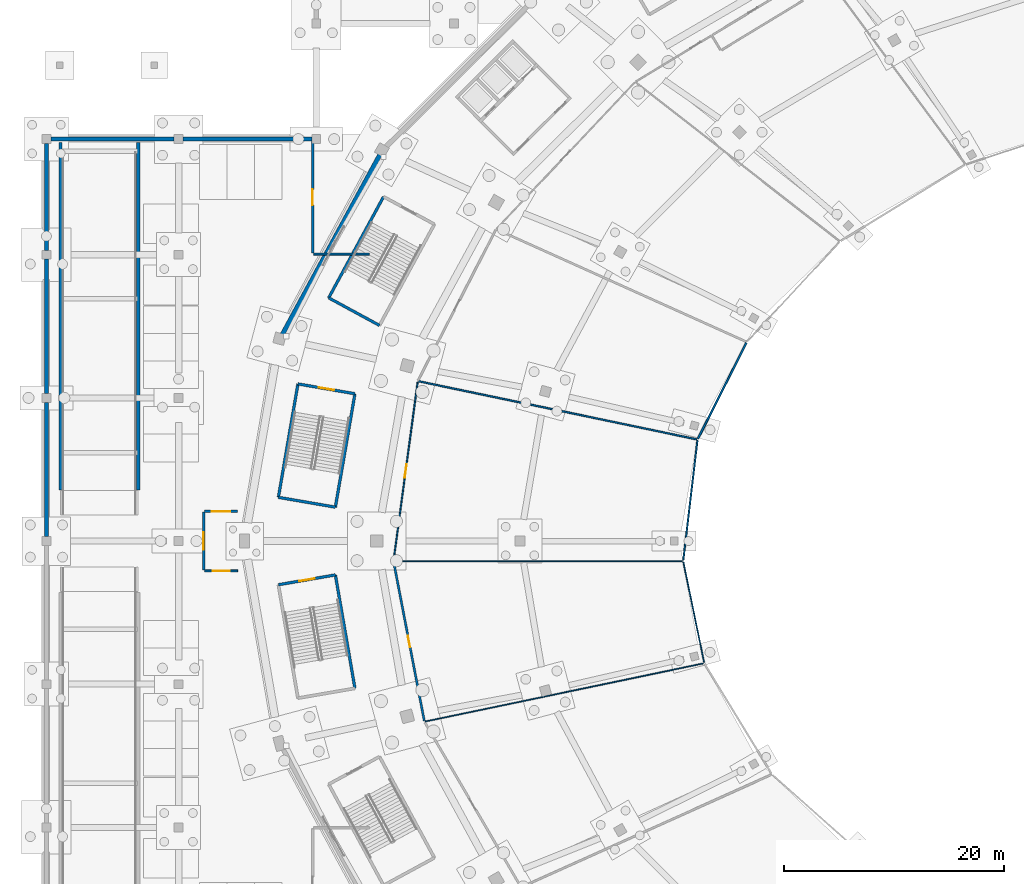
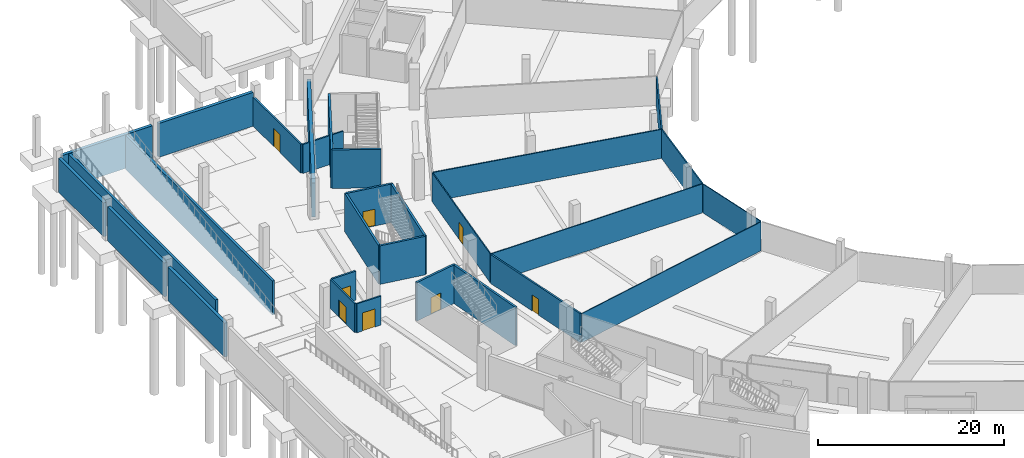
# One storey, part 36 of 74: 29 walls, 8 doors, 8 openings.
"""IFC4 building model written with IfcOpenShell, lengths in metres."""

from ifc_helpers import new_model, si_unit, direction, frame, frame_2d, origin, place, context, subcontext, project, spatial, rectangle, extrude, material, layer, layer_set, type_object, element, fill, save


model = new_model("IFC4")

# Units and contexts
model_context = context("Model", 3, precision=1e-05, world=origin(), true_north=direction((0.0, 1.0)))
body_context = subcontext(model_context, "Body", "Model", "MODEL_VIEW")
ifc_project = project(units=[si_unit("LENGTHUNIT", "METRE"), si_unit("AREAUNIT", "SQUARE_METRE"), si_unit("VOLUMEUNIT", "CUBIC_METRE"), si_unit("PLANEANGLEUNIT", "RADIAN"), si_unit("MASSUNIT", "GRAM", prefix="KILO")], contexts=[model_context])

# Site, building, storey
site_placement = place(None, origin())
site = spatial("IfcSite", under=ifc_project, at=site_placement, CompositionType="ELEMENT")
building_placement = place(site_placement, origin())
building = spatial("IfcBuilding", under=site, at=building_placement, Name="Zlatoyarsky Gate Stadium", CompositionType="ELEMENT")
storey_placement = place(building_placement, frame((0.0, 0.0, -5.39990234375)))
storey = spatial("IfcBuildingStorey", under=building, at=storey_placement, Name="B1", CompositionType="ELEMENT", Elevation=-5.39990234375)

# Wall
ifc_material_1 = material(Name="Moisture-resistant masonry partition", Category="masonry")
ifc_layer_1 = layer(ifc_material_1, 0.139892578125)
ifc_layer_set_1 = layer_set([ifc_layer_1], Name="Moisture-resistant masonry partition")
wall_type_1 = type_object("IfcWallType", Name="ATHLETE CHANGING BLOCK PARTITION 140", PredefinedType="PARTITIONING", material=ifc_layer_set_1)
wall_1_placement = place(storey_placement, frame((59.040283203125, 89.237548828125, 0.0), z_axis=(0.0, 0.0, 1.0), x_axis=(-0.978875817895, 0.204455699701, 0.0)))
element("IfcWall", 1, at=wall_1_placement, inside=storey, type_object=wall_type_1, Name="B1 interior partition PRT-B1-IRD-11", PredefinedType="PARTITIONING", context=body_context, shape_type="SweptSolid", body=[
    extrude(rectangle(XDim=25.779541015625, YDim=0.139892578125, at=frame_2d((12.8896484375, 0.0))), origin(), (0.0, 0.0, 1.0), 3.7998046875),
])

# Wall, opening, door
ifc_material_2 = material(Name="Gypsum-clad mineral wool fire partition", Category="gypsum")
ifc_layer_2 = layer(ifc_material_2, 0.199951171875)
ifc_layer_set_2 = layer_set([ifc_layer_2], Name="Gypsum-clad mineral wool fire partition")
wall_type_2 = type_object("IfcWallType", Name="COMPARTMENT FIRE PARTITION WALL 200", PredefinedType="PARTITIONING", material=ifc_layer_set_2)
wall_2_placement = place(storey_placement, frame((31.53271484375, 78.09375, 0.0), z_axis=(0.0, 0.0, 1.0), x_axis=(0.189225499552, -0.981933658818, 0.0)))
wall_2 = element("IfcWall", 2, at=wall_2_placement, inside=storey, type_object=wall_type_2, Name="B1 interior partition PRT-B1-ICC-12", PredefinedType="PARTITIONING", context=body_context, shape_type="SweptSolid", body=[
    extrude(rectangle(XDim=14.679931640625, YDim=0.199951171875, at=frame_2d((7.33984375, 0.0))), origin(), (0.0, 0.0, 1.0), 3.7998046875),
])
opening_1_placement = place(wall_2_placement, frame((6.800048828125, 0.0, 0.0)))
opening_1 = element("IfcOpeningElement", 3, at=opening_1_placement, cuts=wall_2, Name="Opening D-B1-048", PredefinedType="OPENING", context=body_context, shape_type="SweptSolid", body=[
    extrude(rectangle(XDim=1.080078125, YDim=2.10009765625, at=frame_2d((0.5400390625, 1.050048828125))), frame((0.0, 0.10986328125, 0.0), z_axis=(0.0, -1.0, 0.0), x_axis=(1.0, 0.0, 0.0)), (0.0, 0.0, 1.0), 0.219970703125),
])
ifc_material_3 = material(Name="Powder-coated steel fire door", Category="steel")
door_type_1 = type_object("IfcDoorType", Name="ACOUSTIC INTERIOR DOOR 1080X2100", OperationType="NOTDEFINED", PredefinedType="DOOR", material=ifc_material_3)
door_1_placement = place(opening_1_placement, origin())
door_1 = element("IfcDoor", 4, at=door_1_placement, inside=storey, type_object=door_type_1, Name="B1 room door D-B1-048", OperationType="SINGLE_SWING_LEFT", OverallHeight=2.10009765625, OverallWidth=1.080078125, PredefinedType="DOOR", context=body_context, shape_type="SweptSolid", body=[
    extrude(rectangle(XDim=1.080078125, YDim=2.10009765625, at=frame_2d((0.5400390625, 1.050048828125))), frame((0.0, 0.02490234375, 0.0), z_axis=(0.0, -1.0, 0.0), x_axis=(1.0, 0.0, 0.0)), (0.0, 0.0, 1.0), 0.050048828125),
])
fill(opening_1, door_1)

wall_3_placement = place(storey_placement, frame((24.179931640625, 106.135009765625, 0.0), z_axis=(0.0, 0.0, 1.0), x_axis=(0.0, 1.0, 0.0)))
wall_3 = element("IfcWall", 5, at=wall_3_placement, inside=storey, type_object=wall_type_2, Name="B1 interior partition PRT-B1-CHF-NW", PredefinedType="PARTITIONING", context=body_context, shape_type="SweptSolid", body=[
    extrude(rectangle(XDim=10.179931640625, YDim=0.199951171875, at=frame_2d((5.08984375, 0.0))), origin(), (0.0, 0.0, 1.0), 3.7998046875),
])
opening_2_placement = place(wall_3_placement, frame((4.3701171875, 0.0, 0.0)))
opening_2 = element("IfcOpeningElement", 6, at=opening_2_placement, cuts=wall_3, Name="Opening D-B1-090", PredefinedType="OPENING", context=body_context, shape_type="SweptSolid", body=[
    extrude(rectangle(XDim=1.43994140625, YDim=2.3798828125, at=frame_2d((0.719970703125, 1.18994140625))), frame((0.0, 0.10986328125, 0.0), z_axis=(0.0, -1.0, 0.0), x_axis=(1.0, 0.0, 0.0)), (0.0, 0.0, 1.0), 0.219970703125),
])
door_type_2 = type_object("IfcDoorType", Name="ACOUSTIC INTERIOR DOOR 1440X2380", OperationType="NOTDEFINED", PredefinedType="DOOR", material=ifc_material_3)
door_2_placement = place(opening_2_placement, origin())
door_2 = element("IfcDoor", 7, at=door_2_placement, inside=storey, type_object=door_type_2, Name="B1 room door D-B1-090", OperationType="SINGLE_SWING_LEFT", OverallHeight=2.3798828125, OverallWidth=1.43994140625, PredefinedType="DOOR", context=body_context, shape_type="SweptSolid", body=[
    extrude(rectangle(XDim=1.43994140625, YDim=2.3798828125, at=frame_2d((0.719970703125, 1.18994140625))), frame((0.0, 0.02490234375, 0.0), z_axis=(0.0, -1.0, 0.0), x_axis=(1.0, 0.0, 0.0)), (0.0, 0.0, 1.0), 0.050048828125),
])
fill(opening_2, door_2)

wall_4_placement = place(storey_placement, frame((14.280029296875, 77.385009765625, 0.0), z_axis=(0.0, 0.0, 1.0), x_axis=(0.0, 1.0, 0.0)))
wall_4 = element("IfcWall", 8, at=wall_4_placement, inside=storey, type_object=wall_type_2, Name="B1 interior partition PRT-B1-WVEST-W", PredefinedType="PARTITIONING", context=body_context, shape_type="SweptSolid", body=[
    extrude(rectangle(XDim=5.22998046875, YDim=0.199951171875, at=frame_2d((2.614990234375, 0.0))), origin(), (0.0, 0.0, 1.0), 3.7998046875),
])
opening_3_placement = place(wall_4_placement, frame((1.8349609375, 0.0, 0.0)))
opening_3 = element("IfcOpeningElement", 9, at=opening_3_placement, cuts=wall_4, Name="Opening D-B1-092", PredefinedType="OPENING", context=body_context, shape_type="SweptSolid", body=[
    extrude(rectangle(XDim=1.56005859375, YDim=2.239990234375, at=frame_2d((0.780029296875, 1.1201171875))), frame((0.0, 0.10986328125, 0.0), z_axis=(0.0, -1.0, 0.0), x_axis=(1.0, 0.0, 0.0)), (0.0, 0.0, 1.0), 0.219970703125),
])
door_type_3 = type_object("IfcDoorType", Name="ACOUSTIC INTERIOR DOOR 1560X2240", OperationType="NOTDEFINED", PredefinedType="DOOR", material=ifc_material_3)
door_3_placement = place(opening_3_placement, origin())
door_3 = element("IfcDoor", 10, at=door_3_placement, inside=storey, type_object=door_type_3, Name="B1 room door D-B1-092", OperationType="SINGLE_SWING_RIGHT", OverallHeight=2.239990234375, OverallWidth=1.56005859375, PredefinedType="DOOR", context=body_context, shape_type="SweptSolid", body=[
    extrude(rectangle(XDim=1.56005859375, YDim=2.239990234375, at=frame_2d((0.780029296875, 1.1201171875))), frame((0.0, 0.02490234375, 0.0), z_axis=(0.0, -1.0, 0.0), x_axis=(1.0, 0.0, 0.0)), (0.0, 0.0, 1.0), 0.050048828125),
])
fill(opening_3, door_3)

wall_5_placement = place(storey_placement, frame((14.364990234375, 82.699951171875, 0.0), z_axis=(0.0, 0.0, 1.0), x_axis=(1.0, 0.0, 0.0)))
wall_5 = element("IfcWall", 11, at=wall_5_placement, inside=storey, type_object=wall_type_2, Name="B1 interior partition PRT-B1-WVEST-N", PredefinedType="PARTITIONING", context=body_context, shape_type="SweptSolid", body=[
    extrude(rectangle(XDim=3.0, YDim=0.199951171875, at=frame_2d((1.5, 0.0))), origin(), (0.0, 0.0, 1.0), 3.7998046875),
])
opening_4_placement = place(wall_5_placement, frame((0.659912109375, 0.0, 0.0)))
opening_4 = element("IfcOpeningElement", 12, at=opening_4_placement, cuts=wall_5, Name="Opening D-B1-094", PredefinedType="OPENING", context=body_context, shape_type="SweptSolid", body=[
    extrude(rectangle(XDim=1.679931640625, YDim=2.10009765625, at=frame_2d((0.83984375, 1.050048828125))), frame((0.0, 0.10986328125, 0.0), z_axis=(0.0, -1.0, 0.0), x_axis=(1.0, 0.0, 0.0)), (0.0, 0.0, 1.0), 0.219970703125),
])
door_type_4 = type_object("IfcDoorType", Name="ACOUSTIC INTERIOR DOOR 1680X2100", OperationType="NOTDEFINED", PredefinedType="DOOR", material=ifc_material_3)
door_4_placement = place(opening_4_placement, origin())
door_4 = element("IfcDoor", 13, at=door_4_placement, inside=storey, type_object=door_type_4, Name="B1 room door D-B1-094", OperationType="SINGLE_SWING_RIGHT", OverallHeight=2.10009765625, OverallWidth=1.679931640625, PredefinedType="DOOR", context=body_context, shape_type="SweptSolid", body=[
    extrude(rectangle(XDim=1.679931640625, YDim=2.10009765625, at=frame_2d((0.83984375, 1.050048828125))), frame((0.0, 0.02490234375, 0.0), z_axis=(0.0, -1.0, 0.0), x_axis=(1.0, 0.0, 0.0)), (0.0, 0.0, 1.0), 0.050048828125),
])
fill(opening_4, door_4)

# Walls
ifc_material_4 = material(Name="Concrete C35/45", Category="concrete")
ifc_layer_3 = layer(ifc_material_4, 0.419921875)
ifc_layer_set_3 = layer_set([ifc_layer_3], Name="Concrete C35/45")
wall_type_3 = type_object("IfcWallType", Name="CONCRETE BASEMENT RETAINING WALL 420", PredefinedType="SOLIDWALL", material=ifc_layer_set_3)
wall_6_placement = place(storey_placement, frame((30.5029296875, 115.47509765625, 0.0), z_axis=(0.0, 0.0, 1.0), x_axis=(-0.476947954388, -0.878931538178, 0.0)))
element("IfcWall", 14, at=wall_6_placement, inside=storey, type_object=wall_type_3, Name="B1 perimeter retaining wall sector 10", PredefinedType="SOLIDWALL", context=body_context, shape_type="SweptSolid", body=[
    extrude(rectangle(XDim=19.468994140625, YDim=0.419921875, at=frame_2d((9.734375, 0.0))), origin(), (0.0, 0.0, 1.0), 4.449951171875),
])
ifc_layer_4 = layer(ifc_material_4, 0.3798828125)
ifc_layer_set_4 = layer_set([ifc_layer_4], Name="Concrete C35/45")
wall_type_4 = type_object("IfcWallType", Name="CONCRETE RAMP RETAINING WALL 380", PredefinedType="SOLIDWALL", material=ifc_layer_set_4)
for number, where, z_axis, x_axis, name in (
    (15, (0.0, 80.39697265625, 0.0), (0.0, 0.0, 1.0), (0.0, 1.0, 0.0), "V4_WEST B1 W_LO exterior wall"),
    (16, (0.0, 93.39697265625, 0.0), (0.0, 0.0, 1.0), (0.0, 1.0, 0.0), "V4_WEST B1 W_LO exterior wall"),
):
    element("IfcWall", number, at=place(storey_placement, frame(where, z_axis=z_axis, x_axis=x_axis)), inside=storey, type_object=wall_type_4, Name=name, PredefinedType="SOLIDWALL", context=body_context, shape_type="SweptSolid", body=[
        extrude(rectangle(XDim=12.2060546875, YDim=0.3798828125, at=frame_2d((6.10302734375, 0.0))), origin(), (0.0, 0.0, 1.0), 4.429931640625),
    ])
wall_7_placement = place(storey_placement, frame((0.0, 106.39697265625, 0.0), z_axis=(0.0, 0.0, 1.0), x_axis=(0.0, 1.0, 0.0)))
element("IfcWall", 17, at=wall_7_placement, inside=storey, type_object=wall_type_4, Name="V4_WEST B1 W_LO exterior wall", PredefinedType="SOLIDWALL", context=body_context, shape_type="SweptSolid", body=[
    extrude(rectangle(XDim=9.7060546875, YDim=0.3798828125, at=frame_2d((4.85302734375, 0.0))), origin(), (0.0, 0.0, 1.0), 4.429931640625),
])
wall_8_placement = place(storey_placement, frame((0.39697265625, 116.5, 0.0), z_axis=(0.0, 0.0, 1.0), x_axis=(1.0, 0.0, 0.0)))
element("IfcWall", 18, at=wall_8_placement, inside=storey, type_object=wall_type_4, Name="V4_WEST B1 N exterior wall", PredefinedType="SOLIDWALL", context=body_context, shape_type="SweptSolid", body=[
    extrude(rectangle(XDim=11.2060546875, YDim=0.3798828125, at=frame_2d((5.60302734375, 0.0))), origin(), (0.0, 0.0, 1.0), 4.429931640625),
])
wall_9_placement = place(storey_placement, frame((12.39697265625, 116.5, 0.0), z_axis=(0.0, 0.0, 1.0), x_axis=(1.0, 0.0, 0.0)))
element("IfcWall", 19, at=wall_9_placement, inside=storey, type_object=wall_type_4, Name="V4_WEST B1 N exterior wall", PredefinedType="SOLIDWALL", context=body_context, shape_type="SweptSolid", body=[
    extrude(rectangle(XDim=11.7060546875, YDim=0.3798828125, at=frame_2d((5.85302734375, 0.0))), origin(), (0.0, 0.0, 1.0), 4.429931640625),
])
ifc_material_5 = material(Name="Concrete C40/50", Category="concrete")
ifc_layer_5 = layer(ifc_material_5, 0.2900390625)
ifc_layer_set_5 = layer_set([ifc_layer_5], Name="Concrete C40/50")
wall_type_5 = type_object("IfcWallType", Name="CONCRETE RAMP SHAFT WALL 290", PredefinedType="SHEAR", material=ifc_layer_set_5)
for number, where, z_axis, x_axis, name in (
    (20, (1.27001953125, 84.64990234375, 0.0), (0.0, 0.0, 1.0), (0.0, 1.0, 0.0), "B1 ramp shaft wall VR-02 W"),
    (21, (8.330078125, 84.64990234375, 0.0), (0.0, 0.0, 1.0), (0.0, 1.0, 0.0), "B1 ramp shaft wall VR-02 E"),
):
    element("IfcWall", number, at=place(storey_placement, frame(where, z_axis=z_axis, x_axis=x_axis)), inside=storey, type_object=wall_type_5, Name=name, PredefinedType="SHEAR", context=body_context, shape_type="SweptSolid", body=[
        extrude(rectangle(XDim=31.550048828125, YDim=0.2900390625, at=frame_2d((15.77490234375, 0.0))), origin(), (0.0, 0.0, 1.0), 4.449951171875),
    ])
ifc_layer_6 = layer(ifc_material_5, 0.25)
ifc_layer_set_6 = layer_set([ifc_layer_6], Name="Concrete C40/50")
wall_type_6 = type_object("IfcWallType", Name="CONCRETE STAIR CORE SHEAR WALL 250", PredefinedType="SHEAR", material=ifc_layer_set_6)
wall_10_placement = place(storey_placement, frame((30.615234375, 111.268798828125, 0.0), z_axis=(0.0, 0.0, 1.0), x_axis=(-0.476876856974, -0.878970115125, 0.0)))
element("IfcWall", 22, at=wall_10_placement, inside=storey, type_object=wall_type_6, Name="ST-06 B1 stair core left shear wall", PredefinedType="SHEAR", context=body_context, shape_type="SweptSolid", body=[
    extrude(rectangle(XDim=10.4501953125, YDim=0.25, at=frame_2d((5.22509765625, 0.0))), origin(), (0.0, 0.0, 1.0), 5.0498046875),
])
wall_11_placement = place(storey_placement, frame((25.6318359375, 102.08349609375, 0.0), z_axis=(0.0, 0.0, 1.0), x_axis=(0.878961487093, -0.47689275965, 0.0)))
element("IfcWall", 23, at=wall_11_placement, inside=storey, type_object=wall_type_6, Name="ST-06 B1 stair core far shear wall", PredefinedType="SHEAR", context=body_context, shape_type="SweptSolid", body=[
    extrude(rectangle(XDim=5.25, YDim=0.25, at=frame_2d((2.625, 0.0))), origin(), (0.0, 0.0, 1.0), 5.0498046875),
])

# Wall, opening, door
wall_12_placement = place(storey_placement, frame((26.237548828125, 76.92333984375, 0.0), z_axis=(0.0, 0.0, 1.0), x_axis=(-0.985457162135, -0.16992404655, 0.0)))
wall_12 = element("IfcWall", 24, at=wall_12_placement, inside=storey, type_object=wall_type_6, Name="ST-07 B1 stair core entrance shear wall", PredefinedType="SHEAR", context=body_context, shape_type="SweptSolid", body=[
    extrude(rectangle(XDim=5.25, YDim=0.25, at=frame_2d((2.625, 0.0))), origin(), (0.0, 0.0, 1.0), 5.0498046875),
])
opening_5_placement = place(wall_12_placement, frame((1.925048828125, 0.0, 0.0)))
opening_5 = element("IfcOpeningElement", 25, at=opening_5_placement, cuts=wall_12, Name="Opening SD-ST-07-B1", PredefinedType="OPENING", context=body_context, shape_type="SweptSolid", body=[
    extrude(rectangle(XDim=1.39990234375, YDim=2.199951171875, at=frame_2d((0.699951171875, 1.10009765625))), frame((0.0, 0.135009765625, 0.0), z_axis=(0.0, -1.0, 0.0), x_axis=(1.0, 0.0, 0.0)), (0.0, 0.0, 1.0), 0.27001953125),
])
door_type_5 = type_object("IfcDoorType", Name="STAIR CORE FIRE EXIT DOOR 1400X2200", OperationType="NOTDEFINED", PredefinedType="DOOR", material=ifc_material_3)
door_5_placement = place(opening_5_placement, frame((1.39990234375, 0.0, 0.0), z_axis=(0.0, 0.0, 1.0), x_axis=(-1.0, 0.0, 0.0)))
door_5 = element("IfcDoor", 26, at=door_5_placement, inside=storey, type_object=door_type_5, Name="ST-07 B1 stair fire door", OperationType="SINGLE_SWING_LEFT", OverallHeight=2.199951171875, OverallWidth=1.39990234375, PredefinedType="DOOR", context=body_context, shape_type="SweptSolid", body=[
    extrude(rectangle(XDim=1.39990234375, YDim=2.199951171875, at=frame_2d((0.699951171875, 1.10009765625))), frame((0.0, 0.02490234375, 0.0), z_axis=(0.0, -1.0, 0.0), x_axis=(1.0, 0.0, 0.0)), (0.0, 0.0, 1.0), 0.050048828125),
])
fill(opening_5, door_5)

# Wall
wall_13_placement = place(storey_placement, frame((28.013427734375, 66.625244140625, 0.0), z_axis=(0.0, 0.0, 1.0), x_axis=(-0.169938992676, 0.985454584833, 0.0)))
element("IfcWall", 27, at=wall_13_placement, inside=storey, type_object=wall_type_6, Name="ST-07 B1 stair core right shear wall", PredefinedType="SHEAR", context=body_context, shape_type="SweptSolid", body=[
    extrude(rectangle(XDim=10.4501953125, YDim=0.25, at=frame_2d((5.22509765625, 0.0))), origin(), (0.0, 0.0, 1.0), 5.0498046875),
])

# Wall, opening, door
wall_14_placement = place(storey_placement, frame((28.01318359375, 93.374755859375, 0.0), z_axis=(0.0, 0.0, 1.0), x_axis=(-0.985457162135, 0.16992404655, 0.0)))
wall_14 = element("IfcWall", 28, at=wall_14_placement, inside=storey, type_object=wall_type_6, Name="ST-18 B1 stair core entrance shear wall", PredefinedType="SHEAR", context=body_context, shape_type="SweptSolid", body=[
    extrude(rectangle(XDim=5.25, YDim=0.25, at=frame_2d((2.625, 0.0))), origin(), (0.0, 0.0, 1.0), 5.0498046875),
])
opening_6_placement = place(wall_14_placement, frame((1.925048828125, 0.0, 0.0)))
opening_6 = element("IfcOpeningElement", 29, at=opening_6_placement, cuts=wall_14, Name="Opening SD-ST-18-B1", PredefinedType="OPENING", context=body_context, shape_type="SweptSolid", body=[
    extrude(rectangle(XDim=1.39990234375, YDim=2.199951171875, at=frame_2d((0.699951171875, 1.10009765625))), frame((0.0, 0.135009765625, 0.0), z_axis=(0.0, -1.0, 0.0), x_axis=(1.0, 0.0, 0.0)), (0.0, 0.0, 1.0), 0.27001953125),
])
door_6_placement = place(opening_6_placement, frame((1.39990234375, 0.0, 0.0), z_axis=(0.0, 0.0, 1.0), x_axis=(-1.0, 0.0, 0.0)))
door_6 = element("IfcDoor", 30, at=door_6_placement, inside=storey, type_object=door_type_5, Name="ST-18 B1 stair fire door", OperationType="SINGLE_SWING_LEFT", OverallHeight=2.199951171875, OverallWidth=1.39990234375, PredefinedType="DOOR", context=body_context, shape_type="SweptSolid", body=[
    extrude(rectangle(XDim=1.39990234375, YDim=2.199951171875, at=frame_2d((0.699951171875, 1.10009765625))), frame((0.0, 0.02490234375, 0.0), z_axis=(0.0, -1.0, 0.0), x_axis=(1.0, 0.0, 0.0)), (0.0, 0.0, 1.0), 0.050048828125),
])
fill(opening_6, door_6)

# Walls
wall_15_placement = place(storey_placement, frame((22.839599609375, 94.266845703125, 0.0), z_axis=(0.0, 0.0, 1.0), x_axis=(-0.169938992676, -0.985454584833, 0.0)))
element("IfcWall", 31, at=wall_15_placement, inside=storey, type_object=wall_type_6, Name="ST-18 B1 stair core left shear wall", PredefinedType="SHEAR", context=body_context, shape_type="SweptSolid", body=[
    extrude(rectangle(XDim=10.4501953125, YDim=0.25, at=frame_2d((5.22509765625, 0.0))), origin(), (0.0, 0.0, 1.0), 5.0498046875),
])
wall_16_placement = place(storey_placement, frame((21.063720703125, 83.96875, 0.0), z_axis=(0.0, 0.0, 1.0), x_axis=(0.985458504796, -0.169916259745, 0.0)))
element("IfcWall", 32, at=wall_16_placement, inside=storey, type_object=wall_type_6, Name="ST-18 B1 stair core far shear wall", PredefinedType="SHEAR", context=body_context, shape_type="SweptSolid", body=[
    extrude(rectangle(XDim=5.250244140625, YDim=0.25, at=frame_2d((2.625, 0.0))), origin(), (0.0, 0.0, 1.0), 5.0498046875),
])
wall_17_placement = place(storey_placement, frame((26.237548828125, 83.07666015625, 0.0), z_axis=(0.0, 0.0, 1.0), x_axis=(0.16991630471, 0.985458497043, 0.0)))
element("IfcWall", 33, at=wall_17_placement, inside=storey, type_object=wall_type_6, Name="ST-18 B1 stair core right shear wall", PredefinedType="SHEAR", context=body_context, shape_type="SweptSolid", body=[
    extrude(rectangle(XDim=10.449951171875, YDim=0.25, at=frame_2d((5.22509765625, 0.0))), origin(), (0.0, 0.0, 1.0), 5.0498046875),
])
ifc_material_6 = material(Name="Timber-veneered acoustic operable partition", Category="wood")
ifc_layer_7 = layer(ifc_material_6, 0.094970703125)
ifc_layer_set_7 = layer_set([ifc_layer_7], Name="Timber-veneered acoustic operable partition")
wall_type_7 = type_object("IfcWallType", Name="FOLDING BANQUET SALON WALL 95", PredefinedType="MOVABLE", material=ifc_layer_set_7)
wall_18_placement = place(storey_placement, frame((59.651611328125, 68.88623046875, 0.0), z_axis=(0.0, 0.0, 1.0), x_axis=(-0.978866055155, -0.204502435355, 0.0)))
element("IfcWall", 34, at=wall_18_placement, inside=storey, type_object=wall_type_7, Name="B1 interior partition PRT-B1-IRD-13", PredefinedType="MOVABLE", context=body_context, shape_type="SweptSolid", body=[
    extrude(rectangle(XDim=25.78662109375, YDim=0.094970703125, at=frame_2d((12.893310546875, 0.0))), origin(), (0.0, 0.0, 1.0), 3.7998046875),
])
ifc_material_7 = material(Name="Acoustic metal-stud gypsum partition", Category="gypsum")
ifc_layer_8 = layer(ifc_material_7, 0.159912109375)
ifc_layer_set_8 = layer_set([ifc_layer_8], Name="Acoustic metal-stud gypsum partition")
wall_type_8 = type_object("IfcWallType", Name="HOSPITALITY SUITE PARTITION 160", PredefinedType="PARTITIONING", material=ifc_layer_set_8)
wall_19_placement = place(storey_placement, frame((63.56298828125, 97.999755859375, 0.0), z_axis=(0.0, 0.0, 1.0), x_axis=(-0.451234278817, -0.892405527561, 0.0)))
element("IfcWall", 35, at=wall_19_placement, inside=storey, type_object=wall_type_8, Name="B1 interior partition PRT-B1-IRN-10", PredefinedType="PARTITIONING", context=body_context, shape_type="SweptSolid", body=[
    extrude(rectangle(XDim=9.7529296875, YDim=0.159912109375, at=frame_2d((4.87646484375, 0.0))), origin(), (0.0, 0.0, 1.0), 3.7998046875),
])
ifc_material_8 = material(Name="Metal-stud gypsum partition", Category="gypsum")
ifc_layer_9 = layer(ifc_material_8, 0.110107421875)
ifc_layer_set_9 = layer_set([ifc_layer_9], Name="Metal-stud gypsum partition")
wall_type_9 = type_object("IfcWallType", Name="KIOSK SERVICE PARTITION 110", PredefinedType="PARTITIONING", material=ifc_layer_set_9)
wall_20_placement = place(storey_placement, frame((57.73583984375, 78.177978515625, 0.0), z_axis=(0.0, 0.0, 1.0), x_axis=(-0.999999999607, -2.8025335e-05, 0.0)))
element("IfcWall", 36, at=wall_20_placement, inside=storey, type_object=wall_type_9, Name="B1 interior partition PRT-B1-IRD-12", PredefinedType="PARTITIONING", context=body_context, shape_type="SweptSolid", body=[
    extrude(rectangle(XDim=26.13427734375, YDim=0.110107421875, at=frame_2d((13.067138671875, 0.0))), origin(), (0.0, 0.0, 1.0), 3.7998046875),
])
ifc_layer_10 = layer(ifc_material_8, 0.10009765625)
ifc_layer_set_10 = layer_set([ifc_layer_10], Name="Metal-stud gypsum partition")
wall_type_10 = type_object("IfcWallType", Name="LIGHT STORAGE PARTITION 100", PredefinedType="PARTITIONING", material=ifc_layer_set_10)
wall_21_placement = place(storey_placement, frame((57.837890625, 78.0947265625, 0.0), z_axis=(0.0, 0.0, 1.0), x_axis=(0.202140289415, -0.979356576225, 0.0)))
element("IfcWall", 37, at=wall_21_placement, inside=storey, type_object=wall_type_10, Name="B1 interior partition PRT-B1-IRN-12", PredefinedType="PARTITIONING", context=body_context, shape_type="SweptSolid", body=[
    extrude(rectangle(XDim=9.2998046875, YDim=0.10009765625, at=frame_2d((4.64990234375, 0.0))), origin(), (0.0, 0.0, 1.0), 3.7998046875),
])

# Wall, opening, door
ifc_layer_11 = layer(ifc_material_8, 0.1201171875)
ifc_layer_set_11 = layer_set([ifc_layer_11], Name="Metal-stud gypsum partition")
wall_type_11 = type_object("IfcWallType", Name="OFFICE AND PRESS PARTITION 120", PredefinedType="PARTITIONING", material=ifc_layer_set_11)
wall_22_placement = place(storey_placement, frame((33.7109375, 94.44140625, 0.0), z_axis=(0.0, 0.0, 1.0), x_axis=(-0.133715075634, -0.991019817435, 0.0)))
wall_22 = element("IfcWall", 38, at=wall_22_placement, inside=storey, type_object=wall_type_11, Name="B1 interior partition PRT-B1-ICC-11", PredefinedType="PARTITIONING", context=body_context, shape_type="SweptSolid", body=[
    extrude(rectangle(XDim=16.32666015625, YDim=0.1201171875, at=frame_2d((8.163330078125, 0.0))), origin(), (0.0, 0.0, 1.0), 3.7998046875),
])
opening_7_placement = place(wall_22_placement, frame((7.543212890625, 0.0, 0.0)))
opening_7 = element("IfcOpeningElement", 39, at=opening_7_placement, cuts=wall_22, Name="Opening D-B1-045", PredefinedType="OPENING", context=body_context, shape_type="SweptSolid", body=[
    extrude(rectangle(XDim=1.239990234375, YDim=2.239990234375, at=frame_2d((0.6201171875, 1.1201171875))), frame((0.0, 0.070068359375, 0.0), z_axis=(0.0, -1.0, 0.0), x_axis=(1.0, 0.0, 0.0)), (0.0, 0.0, 1.0), 0.14013671875),
])
ifc_material_9 = material(Name="Solid-core oak veneer acoustic door", Category="wood")
door_type_6 = type_object("IfcDoorType", Name="ACOUSTIC INTERIOR DOOR 1240X2240", OperationType="NOTDEFINED", PredefinedType="DOOR", material=ifc_material_9)
door_7_placement = place(opening_7_placement, origin())
door_7 = element("IfcDoor", 40, at=door_7_placement, inside=storey, type_object=door_type_6, Name="B1 room door D-B1-045", OperationType="SINGLE_SWING_RIGHT", OverallHeight=2.239990234375, OverallWidth=1.239990234375, PredefinedType="DOOR", context=body_context, shape_type="SweptSolid", body=[
    extrude(rectangle(XDim=1.239990234375, YDim=2.239990234375, at=frame_2d((0.6201171875, 1.1201171875))), frame((0.0, 0.02490234375, 0.0), z_axis=(0.0, -1.0, 0.0), x_axis=(1.0, 0.0, 0.0)), (0.0, 0.0, 1.0), 0.050048828125),
])
fill(opening_7, door_7)

# Wall
ifc_layer_12 = layer(ifc_material_2, 0.179931640625)
ifc_layer_set_12 = layer_set([ifc_layer_12], Name="Gypsum-clad mineral wool fire partition")
wall_type_12 = type_object("IfcWallType", Name="PLANT AND KITCHEN RATED WALL 180", PredefinedType="PARTITIONING", material=ifc_layer_set_12)
wall_23_placement = place(storey_placement, frame((24.264892578125, 106.050048828125, 0.0), z_axis=(0.0, 0.0, 1.0), x_axis=(1.0, 0.0, 0.0)))
element("IfcWall", 41, at=wall_23_placement, inside=storey, type_object=wall_type_12, Name="B1 interior partition PRT-B1-CHF-NR", PredefinedType="PARTITIONING", context=body_context, shape_type="SweptSolid", body=[
    extrude(rectangle(XDim=5.050048828125, YDim=0.179931640625, at=frame_2d((2.52490234375, 0.0))), origin(), (0.0, 0.0, 1.0), 3.7998046875),
])

# Wall, opening, door
wall_24_placement = place(storey_placement, frame((14.364990234375, 77.300048828125, 0.0), z_axis=(0.0, 0.0, 1.0), x_axis=(1.0, 0.0, 0.0)))
wall_24 = element("IfcWall", 42, at=wall_24_placement, inside=storey, type_object=wall_type_12, Name="B1 interior partition PRT-B1-WVEST-S", PredefinedType="PARTITIONING", context=body_context, shape_type="SweptSolid", body=[
    extrude(rectangle(XDim=3.0, YDim=0.179931640625, at=frame_2d((1.5, 0.0))), origin(), (0.0, 0.0, 1.0), 3.7998046875),
])
opening_8_placement = place(wall_24_placement, frame((0.719970703125, 0.0, 0.0)))
opening_8 = element("IfcOpeningElement", 43, at=opening_8_placement, cuts=wall_24, Name="Opening D-B1-093", PredefinedType="OPENING", context=body_context, shape_type="SweptSolid", body=[
    extrude(rectangle(XDim=1.56005859375, YDim=2.3798828125, at=frame_2d((0.780029296875, 1.18994140625))), frame((0.0, 0.099853515625, 0.0), z_axis=(0.0, -1.0, 0.0), x_axis=(1.0, 0.0, 0.0)), (0.0, 0.0, 1.0), 0.199951171875),
])
door_type_7 = type_object("IfcDoorType", Name="ACOUSTIC INTERIOR DOOR 1560X2380", OperationType="NOTDEFINED", PredefinedType="DOOR", material=ifc_material_3)
door_8_placement = place(opening_8_placement, origin())
door_8 = element("IfcDoor", 44, at=door_8_placement, inside=storey, type_object=door_type_7, Name="B1 room door D-B1-093", OperationType="SINGLE_SWING_LEFT", OverallHeight=2.3798828125, OverallWidth=1.56005859375, PredefinedType="DOOR", context=body_context, shape_type="SweptSolid", body=[
    extrude(rectangle(XDim=1.56005859375, YDim=2.3798828125, at=frame_2d((0.780029296875, 1.18994140625))), frame((0.0, 0.02490234375, 0.0), z_axis=(0.0, -1.0, 0.0), x_axis=(1.0, 0.0, 0.0)), (0.0, 0.0, 1.0), 0.050048828125),
])
fill(opening_8, door_8)

# Wall
ifc_material_10 = material(Name="Moisture-resistant tile-backed partition", Category="gypsum")
ifc_layer_13 = layer(ifc_material_10, 0.1298828125)
ifc_layer_set_13 = layer_set([ifc_layer_13], Name="Moisture-resistant tile-backed partition")
wall_type_13 = type_object("IfcWallType", Name="SANITARY WET ROOM PARTITION 130", PredefinedType="PARTITIONING", material=ifc_layer_set_13)
wall_25_placement = place(storey_placement, frame((59.113525390625, 89.1357421875, 0.0), z_axis=(0.0, 0.0, 1.0), x_axis=(-0.117156923081, -0.993113415162, 0.0)))
element("IfcWall", 45, at=wall_25_placement, inside=storey, type_object=wall_type_13, Name="B1 interior partition PRT-B1-IRN-11", PredefinedType="PARTITIONING", context=body_context, shape_type="SweptSolid", body=[
    extrude(rectangle(XDim=10.94873046875, YDim=0.1298828125, at=frame_2d((5.474365234375, 0.0))), origin(), (0.0, 0.0, 1.0), 3.7998046875),
])

save(model, "model.ifc")
